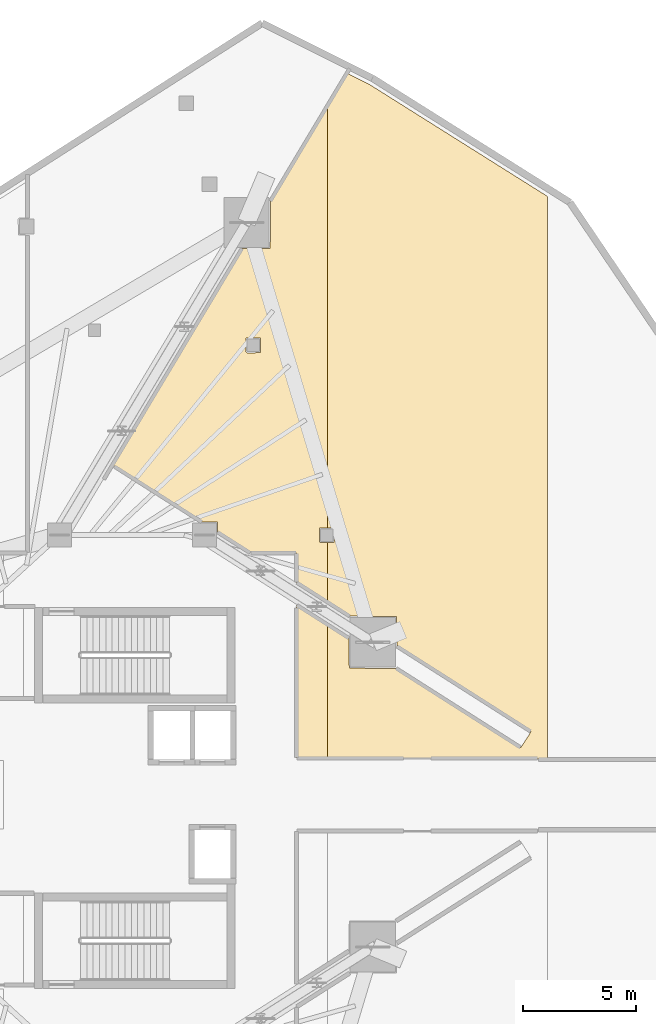
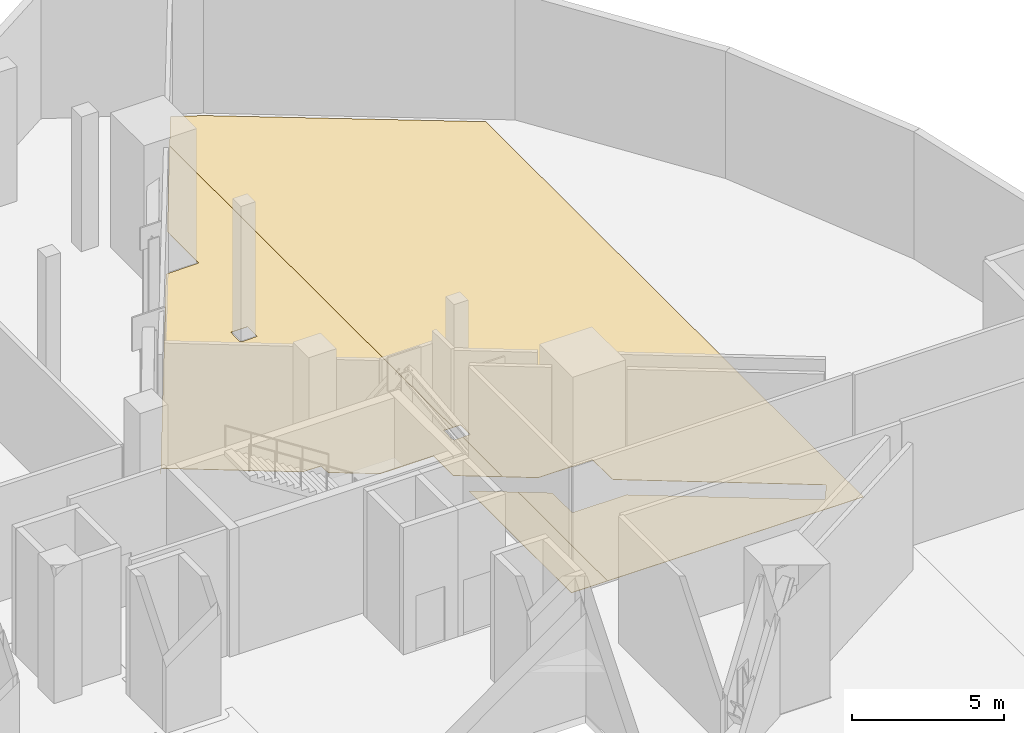
# One storey, part 12 of 12: 3 coverings.
"""IFC4 building model written with IfcOpenShell, lengths in metres."""

from ifc_helpers import new_model, si_unit, direction, frame, origin, place, context, subcontext, project, spatial, polyline, outline, extrude, material, layer, layer_set, type_object, element, save


model = new_model("IFC4")

# Units and contexts
model_context = context("Model", 3, precision=1e-05, world=origin(), true_north=direction((0.0, 1.0)))
body_context = subcontext(model_context, "Body", "Model", "MODEL_VIEW")
ifc_project = project(units=[si_unit("LENGTHUNIT", "METRE"), si_unit("AREAUNIT", "SQUARE_METRE"), si_unit("VOLUMEUNIT", "CUBIC_METRE"), si_unit("PLANEANGLEUNIT", "RADIAN"), si_unit("MASSUNIT", "GRAM", prefix="KILO")], contexts=[model_context])

# Site, building, storey
site_placement = place(None, origin())
site = spatial("IfcSite", under=ifc_project, at=site_placement, CompositionType="ELEMENT")
building_placement = place(site_placement, origin())
building = spatial("IfcBuilding", under=site, at=building_placement, Name="Qorvath Tower", CompositionType="ELEMENT")
storey_placement = place(building_placement, frame((0.0, 0.0, 99.60009765625)))
storey = spatial("IfcBuildingStorey", under=building, at=storey_placement, Name="L22", CompositionType="ELEMENT", Elevation=99.60009765625)

# Coverings
ifc_material = material(Name="Low-VOC modular carpet tile", Category="textile")
ifc_layer = layer(ifc_material, 0.014892578125)
ifc_layer_set = layer_set([ifc_layer], Name="COV-FLOOR-CPT")
covering_type = type_object("IfcCoveringType", Name="COV-FLOOR-CPT", PredefinedType="FLOORING", material=ifc_layer_set)
covering_1_placement = place(storey_placement, origin())
element("IfcCovering", 1, at=covering_1_placement, inside=storey, type_object=covering_type, Name="L22 Floor Finish 009", PredefinedType="FLOORING", context=body_context, shape_type="SweptSolid", body=[
    extrude(outline(polyline([(-11.76953125, 8.49755859375), (-11.76953125, 11.1240234375), (-12.074951171875, 11.114990234375), (-12.135009765625, 11.175048828125), (-12.117431640625, 11.767333984375), (-11.76953125, 11.767333984375), (-11.76953125, 30.391845703125), (-14.2841796875, 26.189697265625), (-14.3017578125, 24.103759765625), (-15.543212890625, 24.086181640625), (-21.46240234375, 14.194091796875), (-21.244384765625, 14.527587890625), (-17.32763671875, 12.034912109375), (-16.632568359375, 12.017333984375), (-16.614990234375, 11.58154296875), (-15.171875, 10.6630859375), (-13.138427734375, 10.66162109375), (-13.136962890625, 9.367919921875), (-11.76953125, 8.49755859375)]), holes=[polyline([(-15.381103515625, 19.543212890625), (-15.363525390625, 20.135498046875), (-14.728759765625, 20.135498046875), (-14.728759765625, 19.500732421875), (-15.321044921875, 19.483154296875), (-15.381103515625, 19.543212890625)])]), origin(), (0.0, 0.0, 1.0), 0.014892578125),
])
covering_2_placement = place(storey_placement, origin())
element("IfcCovering", 2, at=covering_2_placement, inside=storey, type_object=covering_type, Name="L22 Floor Finish 010", PredefinedType="FLOORING", context=body_context, shape_type="SweptSolid", body=[
    extrude(outline(polyline([(-11.76953125, 1.6083984375), (-11.76953125, 7.489990234375), (-13.136962890625, 8.3603515625), (-13.136962890625, 1.613037109375), (-11.76953125, 1.6083984375)])), origin(), (0.0, 0.0, 1.0), 0.014892578125),
])
covering_3_placement = place(storey_placement, origin())
element("IfcCovering", 3, at=covering_3_placement, inside=storey, type_object=covering_type, Name="L22 Floor Finish 011", PredefinedType="FLOORING", context=body_context, shape_type="SweptSolid", body=[
    extrude(outline(polyline([(-2.07666015625, 1.576171875), (-2.07666015625, 26.396240234375), (-9.9404296875, 31.342041015625), (-10.91064453125, 31.8271484375), (-11.76953125, 30.391845703125), (-11.76953125, 11.767333984375), (-11.482666015625, 11.767333984375), (-11.482666015625, 11.132568359375), (-11.76953125, 11.1240234375), (-11.76953125, 8.49755859375), (-10.7890625, 7.87353515625), (-8.727783203125, 7.86376953125), (-8.710205078125, 6.550537109375), (-2.791015625, 2.78125), (-3.24951171875, 2.0673828125), (-8.75146484375, 5.569091796875), (-10.812744140625, 5.578857421875), (-10.830322265625, 6.892333984375), (-11.76953125, 7.489990234375), (-11.76953125, 1.6083984375), (-2.07666015625, 1.576171875)])), origin(), (0.0, 0.0, 1.0), 0.014892578125),
])

save(model, "model.ifc")
